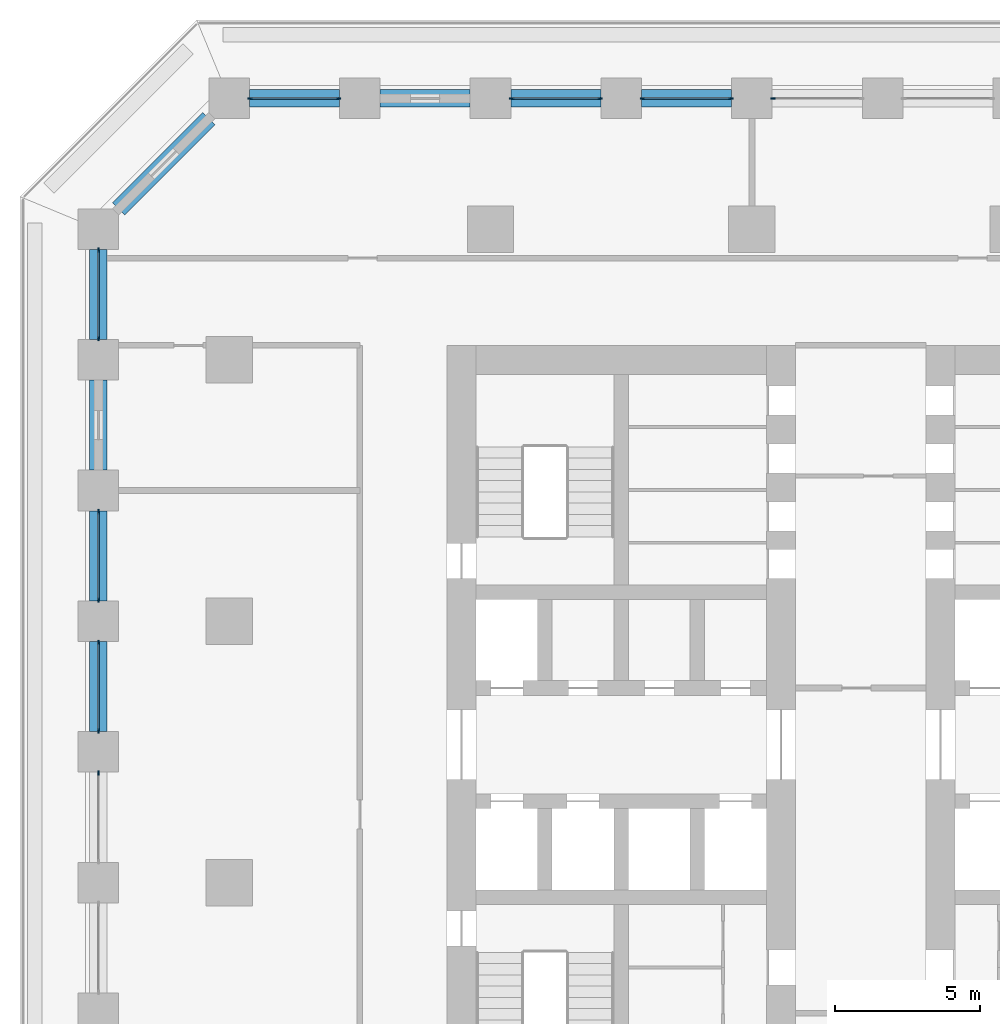
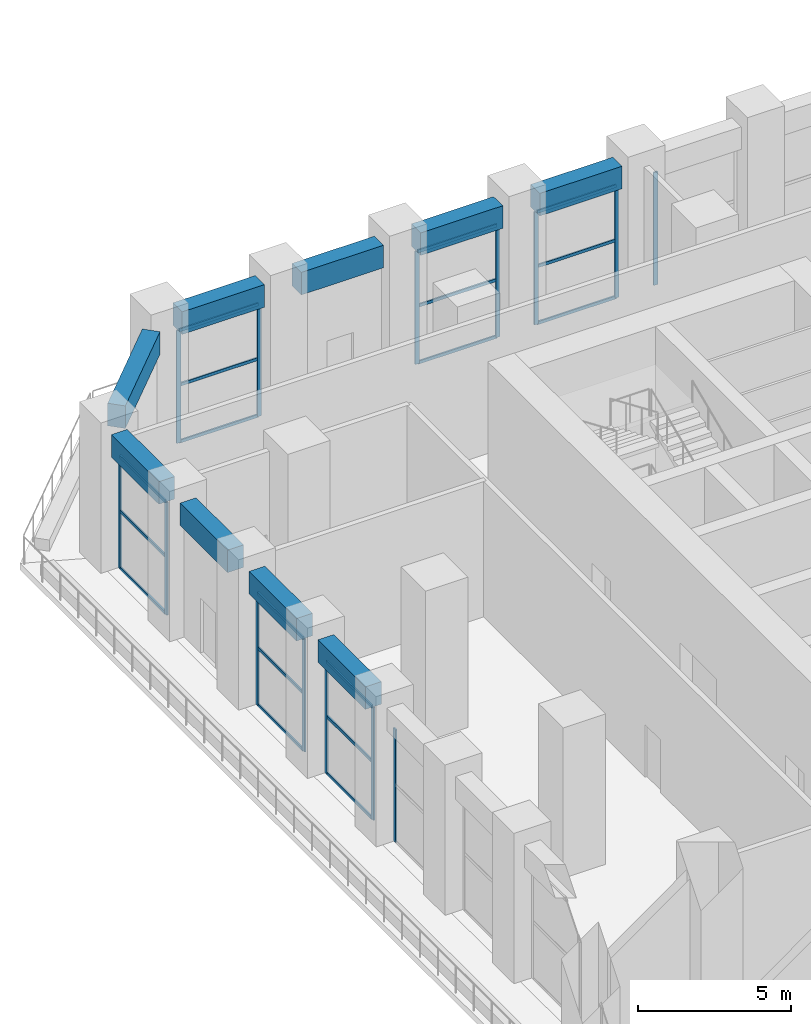
# One storey, part 6 of 19: 32 members, 9 beams, 8 elements without a shape of their own.
"""IFC4 building model written with IfcOpenShell, lengths in metres."""

from ifc_helpers import new_model, si_unit, direction, frame, origin, origin_2d, place, context, subcontext, project, spatial, rectangle, extrude, material, material_profile, profile_set, type_object, element, aggregate, save


model = new_model("IFC4")

# Units and contexts
model_context = context("Model", 3, precision=1e-05, world=origin(), true_north=direction((0.0, 1.0)))
body_context = subcontext(model_context, "Body", "Model", "MODEL_VIEW")
ifc_project = project(units=[si_unit("LENGTHUNIT", "METRE"), si_unit("AREAUNIT", "SQUARE_METRE"), si_unit("VOLUMEUNIT", "CUBIC_METRE"), si_unit("PLANEANGLEUNIT", "RADIAN"), si_unit("MASSUNIT", "GRAM", prefix="KILO")], contexts=[model_context])

# Site, building, storey
site_placement = place(None, origin())
site = spatial("IfcSite", under=ifc_project, at=site_placement, CompositionType="ELEMENT")
building_placement = place(site_placement, origin())
building = spatial("IfcBuilding", under=site, at=building_placement, Name="Corbel Stack Research Tower", CompositionType="ELEMENT")
storey_placement = place(building_placement, frame((0.0, 0.0, 70.60009765625)))
storey = spatial("IfcBuildingStorey", under=building, at=storey_placement, Name="L16", CompositionType="ELEMENT", Elevation=70.60009765625)

# Curtain wall, member
ifc_material_1 = material(Name="Aluminium frame, clear glass", Category="aluminium")
curtain_wall_type = type_object("IfcCurtainWallType", Name="Amenity floor curtain wall CW2", PredefinedType="NOTDEFINED", material=ifc_material_1)
curtain_wall_1_placement = place(storey_placement, origin())
curtain_wall_1 = element("IfcCurtainWall", 1, at=curtain_wall_1_placement, inside=storey, type_object=curtain_wall_type, Name="Curtain wall CW2 L16 N06", PredefinedType="NOTDEFINED")
ifc_material_2 = material(Name="Aluminium mullion", Category="aluminium")
ifc_material_profile_1 = material_profile(ifc_material_2, rectangle(XDim=0.06005859375, YDim=0.159912109375, at=origin_2d()), Name="Mullion 60 x 160")
ifc_profile_set_1 = profile_set([ifc_material_profile_1], Name="Aluminium mullion")
member_type_1 = type_object("IfcMemberType", Name="Curtain wall mullion 60 x 160", PredefinedType="MULLION", material=ifc_profile_set_1)
member_1_placement = place(storey_placement, frame((0.72998046875, 27.0, 0.0), z_axis=(0.0, 0.0, 1.0), x_axis=(0.0, -1.0, 0.0)))
member_1 = element("IfcMember", 2, at=member_1_placement, type_object=member_type_1, Name="CW2 L16 N06 mullion 2", PredefinedType="MULLION", context=body_context, shape_type="SweptSolid", body=[
    extrude(rectangle(XDim=0.06005859375, YDim=0.159912109375, at=origin_2d()), origin(), (0.0, 0.0, 1.0), 4.5),
])
aggregate(curtain_wall_1, [member_1])

# Curtain wall, members
curtain_wall_2_placement = place(storey_placement, origin())
curtain_wall_2 = element("IfcCurtainWall", 3, at=curtain_wall_2_placement, inside=storey, type_object=curtain_wall_type, Name="Curtain wall CW2 L16 N07", PredefinedType="NOTDEFINED")
member_2_placement = place(storey_placement, frame((-0.72998046875, 27.0, 0.0), z_axis=(0.0, 0.0, 1.0), x_axis=(0.0, -1.0, 0.0)))
member_2 = element("IfcMember", 4, at=member_2_placement, type_object=member_type_1, Name="CW2 L16 N07 mullion 1", PredefinedType="MULLION", context=body_context, shape_type="SweptSolid", body=[
    extrude(rectangle(XDim=0.06005859375, YDim=0.159912109375, at=origin_2d()), origin(), (0.0, 0.0, 1.0), 4.5),
])
member_3_placement = place(storey_placement, frame((-3.77001953125, 27.0, 0.0), z_axis=(0.0, 0.0, 1.0), x_axis=(0.0, -1.0, 0.0)))
member_3 = element("IfcMember", 5, at=member_3_placement, type_object=member_type_1, Name="CW2 L16 N07 mullion 2", PredefinedType="MULLION", context=body_context, shape_type="SweptSolid", body=[
    extrude(rectangle(XDim=0.06005859375, YDim=0.159912109375, at=origin_2d()), origin(), (0.0, 0.0, 1.0), 4.5),
])

curtain_wall_3_placement = place(storey_placement, origin())
curtain_wall_3 = element("IfcCurtainWall", 6, at=curtain_wall_3_placement, inside=storey, type_object=curtain_wall_type, Name="Curtain wall CW2 L16 N08", PredefinedType="NOTDEFINED")
member_4_placement = place(storey_placement, frame((-5.22998046875, 27.0, 0.0), z_axis=(0.0, 0.0, 1.0), x_axis=(0.0, -1.0, 0.0)))
member_4 = element("IfcMember", 7, at=member_4_placement, type_object=member_type_1, Name="CW2 L16 N08 mullion 1", PredefinedType="MULLION", context=body_context, shape_type="SweptSolid", body=[
    extrude(rectangle(XDim=0.06005859375, YDim=0.159912109375, at=origin_2d()), origin(), (0.0, 0.0, 1.0), 4.5),
])
member_5_placement = place(storey_placement, frame((-8.27001953125, 27.0, 0.0), z_axis=(0.0, 0.0, 1.0), x_axis=(0.0, -1.0, 0.0)))
member_5 = element("IfcMember", 8, at=member_5_placement, type_object=member_type_1, Name="CW2 L16 N08 mullion 2", PredefinedType="MULLION", context=body_context, shape_type="SweptSolid", body=[
    extrude(rectangle(XDim=0.06005859375, YDim=0.159912109375, at=origin_2d()), origin(), (0.0, 0.0, 1.0), 4.5),
])

curtain_wall_4_placement = place(storey_placement, origin())
curtain_wall_4 = element("IfcCurtainWall", 9, at=curtain_wall_4_placement, inside=storey, type_object=curtain_wall_type, Name="Curtain wall CW2 L16 N10", PredefinedType="NOTDEFINED")
member_6_placement = place(storey_placement, frame((-14.22998046875, 27.0, 0.0), z_axis=(0.0, 0.0, 1.0), x_axis=(0.0, -1.0, 0.0)))
member_6 = element("IfcMember", 10, at=member_6_placement, type_object=member_type_1, Name="CW2 L16 N10 mullion 1", PredefinedType="MULLION", context=body_context, shape_type="SweptSolid", body=[
    extrude(rectangle(XDim=0.06005859375, YDim=0.159912109375, at=origin_2d()), origin(), (0.0, 0.0, 1.0), 4.5),
])
member_7_placement = place(storey_placement, frame((-17.27001953125, 27.0, 0.0), z_axis=(0.0, 0.0, 1.0), x_axis=(0.0, -1.0, 0.0)))
member_7 = element("IfcMember", 11, at=member_7_placement, type_object=member_type_1, Name="CW2 L16 N10 mullion 2", PredefinedType="MULLION", context=body_context, shape_type="SweptSolid", body=[
    extrude(rectangle(XDim=0.06005859375, YDim=0.159912109375, at=origin_2d()), origin(), (0.0, 0.0, 1.0), 4.5),
])

curtain_wall_5_placement = place(storey_placement, origin())
curtain_wall_5 = element("IfcCurtainWall", 12, at=curtain_wall_5_placement, inside=storey, type_object=curtain_wall_type, Name="Curtain wall CW2 L16 W01", PredefinedType="NOTDEFINED")
member_8_placement = place(storey_placement, frame((-22.5, 21.77001953125, 0.0), z_axis=(0.0, 0.0, 1.0), x_axis=(1.0, 0.0, 0.0)))
member_8 = element("IfcMember", 13, at=member_8_placement, type_object=member_type_1, Name="CW2 L16 W01 mullion 1", PredefinedType="MULLION", context=body_context, shape_type="SweptSolid", body=[
    extrude(rectangle(XDim=0.06005859375, YDim=0.159912109375, at=origin_2d()), origin(), (0.0, 0.0, 1.0), 4.5),
])
member_9_placement = place(storey_placement, frame((-22.5, 18.72998046875, 0.0), z_axis=(0.0, 0.0, 1.0), x_axis=(1.0, 0.0, 0.0)))
member_9 = element("IfcMember", 14, at=member_9_placement, type_object=member_type_1, Name="CW2 L16 W01 mullion 2", PredefinedType="MULLION", context=body_context, shape_type="SweptSolid", body=[
    extrude(rectangle(XDim=0.06005859375, YDim=0.159912109375, at=origin_2d()), origin(), (0.0, 0.0, 1.0), 4.5),
])

curtain_wall_6_placement = place(storey_placement, origin())
curtain_wall_6 = element("IfcCurtainWall", 15, at=curtain_wall_6_placement, inside=storey, type_object=curtain_wall_type, Name="Curtain wall CW2 L16 W03", PredefinedType="NOTDEFINED")
member_10_placement = place(storey_placement, frame((-22.5, 12.77001953125, 0.0), z_axis=(0.0, 0.0, 1.0), x_axis=(1.0, 0.0, 0.0)))
member_10 = element("IfcMember", 16, at=member_10_placement, type_object=member_type_1, Name="CW2 L16 W03 mullion 1", PredefinedType="MULLION", context=body_context, shape_type="SweptSolid", body=[
    extrude(rectangle(XDim=0.06005859375, YDim=0.159912109375, at=origin_2d()), origin(), (0.0, 0.0, 1.0), 4.5),
])
member_11_placement = place(storey_placement, frame((-22.5, 9.72998046875, 0.0), z_axis=(0.0, 0.0, 1.0), x_axis=(1.0, 0.0, 0.0)))
member_11 = element("IfcMember", 17, at=member_11_placement, type_object=member_type_1, Name="CW2 L16 W03 mullion 2", PredefinedType="MULLION", context=body_context, shape_type="SweptSolid", body=[
    extrude(rectangle(XDim=0.06005859375, YDim=0.159912109375, at=origin_2d()), origin(), (0.0, 0.0, 1.0), 4.5),
])

curtain_wall_7_placement = place(storey_placement, origin())
curtain_wall_7 = element("IfcCurtainWall", 18, at=curtain_wall_7_placement, inside=storey, type_object=curtain_wall_type, Name="Curtain wall CW2 L16 W04", PredefinedType="NOTDEFINED")
member_12_placement = place(storey_placement, frame((-22.5, 8.27001953125, 0.0), z_axis=(0.0, 0.0, 1.0), x_axis=(1.0, 0.0, 0.0)))
member_12 = element("IfcMember", 19, at=member_12_placement, type_object=member_type_1, Name="CW2 L16 W04 mullion 1", PredefinedType="MULLION", context=body_context, shape_type="SweptSolid", body=[
    extrude(rectangle(XDim=0.06005859375, YDim=0.159912109375, at=origin_2d()), origin(), (0.0, 0.0, 1.0), 4.5),
])
member_13_placement = place(storey_placement, frame((-22.5, 5.22998046875, 0.0), z_axis=(0.0, 0.0, 1.0), x_axis=(1.0, 0.0, 0.0)))
member_13 = element("IfcMember", 20, at=member_13_placement, type_object=member_type_1, Name="CW2 L16 W04 mullion 2", PredefinedType="MULLION", context=body_context, shape_type="SweptSolid", body=[
    extrude(rectangle(XDim=0.06005859375, YDim=0.159912109375, at=origin_2d()), origin(), (0.0, 0.0, 1.0), 4.5),
])

# Curtain wall, member
curtain_wall_8_placement = place(storey_placement, origin())
curtain_wall_8 = element("IfcCurtainWall", 21, at=curtain_wall_8_placement, inside=storey, type_object=curtain_wall_type, Name="Curtain wall CW2 L16 W05", PredefinedType="NOTDEFINED")
member_14_placement = place(storey_placement, frame((-22.5, 3.77001953125, 0.0), z_axis=(0.0, 0.0, 1.0), x_axis=(1.0, 0.0, 0.0)))
member_14 = element("IfcMember", 22, at=member_14_placement, type_object=member_type_1, Name="CW2 L16 W05 mullion 1", PredefinedType="MULLION", context=body_context, shape_type="SweptSolid", body=[
    extrude(rectangle(XDim=0.06005859375, YDim=0.159912109375, at=origin_2d()), origin(), (0.0, 0.0, 1.0), 4.5),
])
aggregate(curtain_wall_8, [member_14])

# Member
ifc_material_3 = material(Name="Aluminium transom", Category="aluminium")
ifc_material_profile_2 = material_profile(ifc_material_3, rectangle(XDim=0.06005859375, YDim=0.1201171875, at=origin_2d()), Name="Transom 60 x 120")
ifc_profile_set_2 = profile_set([ifc_material_profile_2], Name="Aluminium transom")
member_type_2 = type_object("IfcMemberType", Name="Curtain wall transom 60 x 120", PredefinedType="USERDEFINED", material=ifc_profile_set_2)
member_15_placement = place(storey_placement, frame((-0.760009765625, 27.0, 0.02978515625), z_axis=(-1.0, 0.0, 0.0), x_axis=(0.0, -1.0, 0.0)))
member_15 = element("IfcMember", 23, at=member_15_placement, type_object=member_type_2, Name="CW2 L16 N07 transom 1.1", ObjectType="TRANSOM", PredefinedType="USERDEFINED", context=body_context, shape_type="SweptSolid", body=[
    extrude(rectangle(XDim=0.06005859375, YDim=0.1201171875, at=origin_2d()), origin(), (0.0, 0.0, 1.0), 2.97998046875),
])

member_16_placement = place(storey_placement, frame((-0.760009765625, 27.0, 2.2998046875), z_axis=(-1.0, 0.0, 0.0), x_axis=(0.0, -1.0, 0.0)))
member_16 = element("IfcMember", 24, at=member_16_placement, type_object=member_type_2, Name="CW2 L16 N07 transom 1.2", ObjectType="TRANSOM", PredefinedType="USERDEFINED", context=body_context, shape_type="SweptSolid", body=[
    extrude(rectangle(XDim=0.06005859375, YDim=0.1201171875, at=origin_2d()), origin(), (0.0, 0.0, 1.0), 2.97998046875),
])

member_17_placement = place(storey_placement, frame((-0.760009765625, 27.0, 4.469970703125), z_axis=(-1.0, 0.0, 0.0), x_axis=(0.0, -1.0, 0.0)))
member_17 = element("IfcMember", 25, at=member_17_placement, type_object=member_type_2, Name="CW2 L16 N07 transom 1.3", ObjectType="TRANSOM", PredefinedType="USERDEFINED", context=body_context, shape_type="SweptSolid", body=[
    extrude(rectangle(XDim=0.06005859375, YDim=0.1201171875, at=origin_2d()), origin(), (0.0, 0.0, 1.0), 2.97998046875),
])

aggregate(curtain_wall_2, [member_2, member_3, member_15, member_16, member_17])

member_18_placement = place(storey_placement, frame((-5.260009765625, 27.0, 0.02978515625), z_axis=(-1.0, 0.0, 0.0), x_axis=(0.0, -1.0, 0.0)))
member_18 = element("IfcMember", 26, at=member_18_placement, type_object=member_type_2, Name="CW2 L16 N08 transom 1.1", ObjectType="TRANSOM", PredefinedType="USERDEFINED", context=body_context, shape_type="SweptSolid", body=[
    extrude(rectangle(XDim=0.06005859375, YDim=0.1201171875, at=origin_2d()), origin(), (0.0, 0.0, 1.0), 2.97998046875),
])

member_19_placement = place(storey_placement, frame((-5.260009765625, 27.0, 2.2998046875), z_axis=(-1.0, 0.0, 0.0), x_axis=(0.0, -1.0, 0.0)))
member_19 = element("IfcMember", 27, at=member_19_placement, type_object=member_type_2, Name="CW2 L16 N08 transom 1.2", ObjectType="TRANSOM", PredefinedType="USERDEFINED", context=body_context, shape_type="SweptSolid", body=[
    extrude(rectangle(XDim=0.06005859375, YDim=0.1201171875, at=origin_2d()), origin(), (0.0, 0.0, 1.0), 2.97998046875),
])

member_20_placement = place(storey_placement, frame((-5.260009765625, 27.0, 4.469970703125), z_axis=(-1.0, 0.0, 0.0), x_axis=(0.0, -1.0, 0.0)))
member_20 = element("IfcMember", 28, at=member_20_placement, type_object=member_type_2, Name="CW2 L16 N08 transom 1.3", ObjectType="TRANSOM", PredefinedType="USERDEFINED", context=body_context, shape_type="SweptSolid", body=[
    extrude(rectangle(XDim=0.06005859375, YDim=0.1201171875, at=origin_2d()), origin(), (0.0, 0.0, 1.0), 2.97998046875),
])

aggregate(curtain_wall_3, [member_4, member_5, member_18, member_19, member_20])

member_21_placement = place(storey_placement, frame((-14.260009765625, 27.0, 0.02978515625), z_axis=(-1.0, 0.0, 0.0), x_axis=(0.0, -1.0, 0.0)))
member_21 = element("IfcMember", 29, at=member_21_placement, type_object=member_type_2, Name="CW2 L16 N10 transom 1.1", ObjectType="TRANSOM", PredefinedType="USERDEFINED", context=body_context, shape_type="SweptSolid", body=[
    extrude(rectangle(XDim=0.06005859375, YDim=0.1201171875, at=origin_2d()), origin(), (0.0, 0.0, 1.0), 2.97998046875),
])

member_22_placement = place(storey_placement, frame((-14.260009765625, 27.0, 2.2998046875), z_axis=(-1.0, 0.0, 0.0), x_axis=(0.0, -1.0, 0.0)))
member_22 = element("IfcMember", 30, at=member_22_placement, type_object=member_type_2, Name="CW2 L16 N10 transom 1.2", ObjectType="TRANSOM", PredefinedType="USERDEFINED", context=body_context, shape_type="SweptSolid", body=[
    extrude(rectangle(XDim=0.06005859375, YDim=0.1201171875, at=origin_2d()), origin(), (0.0, 0.0, 1.0), 2.97998046875),
])

member_23_placement = place(storey_placement, frame((-14.260009765625, 27.0, 4.469970703125), z_axis=(-1.0, 0.0, 0.0), x_axis=(0.0, -1.0, 0.0)))
member_23 = element("IfcMember", 31, at=member_23_placement, type_object=member_type_2, Name="CW2 L16 N10 transom 1.3", ObjectType="TRANSOM", PredefinedType="USERDEFINED", context=body_context, shape_type="SweptSolid", body=[
    extrude(rectangle(XDim=0.06005859375, YDim=0.1201171875, at=origin_2d()), origin(), (0.0, 0.0, 1.0), 2.97998046875),
])

aggregate(curtain_wall_4, [member_6, member_7, member_21, member_22, member_23])

member_24_placement = place(storey_placement, frame((-22.5, 21.739990234375, 0.02978515625), z_axis=(0.0, -1.0, 0.0), x_axis=(1.0, 0.0, 0.0)))
member_24 = element("IfcMember", 32, at=member_24_placement, type_object=member_type_2, Name="CW2 L16 W01 transom 1.1", ObjectType="TRANSOM", PredefinedType="USERDEFINED", context=body_context, shape_type="SweptSolid", body=[
    extrude(rectangle(XDim=0.06005859375, YDim=0.1201171875, at=origin_2d()), origin(), (0.0, 0.0, 1.0), 2.97998046875),
])

member_25_placement = place(storey_placement, frame((-22.5, 21.739990234375, 2.2998046875), z_axis=(0.0, -1.0, 0.0), x_axis=(1.0, 0.0, 0.0)))
member_25 = element("IfcMember", 33, at=member_25_placement, type_object=member_type_2, Name="CW2 L16 W01 transom 1.2", ObjectType="TRANSOM", PredefinedType="USERDEFINED", context=body_context, shape_type="SweptSolid", body=[
    extrude(rectangle(XDim=0.06005859375, YDim=0.1201171875, at=origin_2d()), origin(), (0.0, 0.0, 1.0), 2.97998046875),
])

member_26_placement = place(storey_placement, frame((-22.5, 21.739990234375, 4.469970703125), z_axis=(0.0, -1.0, 0.0), x_axis=(1.0, 0.0, 0.0)))
member_26 = element("IfcMember", 34, at=member_26_placement, type_object=member_type_2, Name="CW2 L16 W01 transom 1.3", ObjectType="TRANSOM", PredefinedType="USERDEFINED", context=body_context, shape_type="SweptSolid", body=[
    extrude(rectangle(XDim=0.06005859375, YDim=0.1201171875, at=origin_2d()), origin(), (0.0, 0.0, 1.0), 2.97998046875),
])

aggregate(curtain_wall_5, [member_8, member_9, member_24, member_25, member_26])

member_27_placement = place(storey_placement, frame((-22.5, 12.739990234375, 0.02978515625), z_axis=(0.0, -1.0, 0.0), x_axis=(1.0, 0.0, 0.0)))
member_27 = element("IfcMember", 35, at=member_27_placement, type_object=member_type_2, Name="CW2 L16 W03 transom 1.1", ObjectType="TRANSOM", PredefinedType="USERDEFINED", context=body_context, shape_type="SweptSolid", body=[
    extrude(rectangle(XDim=0.06005859375, YDim=0.1201171875, at=origin_2d()), origin(), (0.0, 0.0, 1.0), 2.97998046875),
])

member_28_placement = place(storey_placement, frame((-22.5, 12.739990234375, 2.2998046875), z_axis=(0.0, -1.0, 0.0), x_axis=(1.0, 0.0, 0.0)))
member_28 = element("IfcMember", 36, at=member_28_placement, type_object=member_type_2, Name="CW2 L16 W03 transom 1.2", ObjectType="TRANSOM", PredefinedType="USERDEFINED", context=body_context, shape_type="SweptSolid", body=[
    extrude(rectangle(XDim=0.06005859375, YDim=0.1201171875, at=origin_2d()), origin(), (0.0, 0.0, 1.0), 2.97998046875),
])

member_29_placement = place(storey_placement, frame((-22.5, 12.739990234375, 4.469970703125), z_axis=(0.0, -1.0, 0.0), x_axis=(1.0, 0.0, 0.0)))
member_29 = element("IfcMember", 37, at=member_29_placement, type_object=member_type_2, Name="CW2 L16 W03 transom 1.3", ObjectType="TRANSOM", PredefinedType="USERDEFINED", context=body_context, shape_type="SweptSolid", body=[
    extrude(rectangle(XDim=0.06005859375, YDim=0.1201171875, at=origin_2d()), origin(), (0.0, 0.0, 1.0), 2.97998046875),
])

aggregate(curtain_wall_6, [member_10, member_11, member_27, member_28, member_29])

member_30_placement = place(storey_placement, frame((-22.5, 8.239990234375, 0.02978515625), z_axis=(0.0, -1.0, 0.0), x_axis=(1.0, 0.0, 0.0)))
member_30 = element("IfcMember", 38, at=member_30_placement, type_object=member_type_2, Name="CW2 L16 W04 transom 1.1", ObjectType="TRANSOM", PredefinedType="USERDEFINED", context=body_context, shape_type="SweptSolid", body=[
    extrude(rectangle(XDim=0.06005859375, YDim=0.1201171875, at=origin_2d()), origin(), (0.0, 0.0, 1.0), 2.97998046875),
])

member_31_placement = place(storey_placement, frame((-22.5, 8.239990234375, 2.2998046875), z_axis=(0.0, -1.0, 0.0), x_axis=(1.0, 0.0, 0.0)))
member_31 = element("IfcMember", 39, at=member_31_placement, type_object=member_type_2, Name="CW2 L16 W04 transom 1.2", ObjectType="TRANSOM", PredefinedType="USERDEFINED", context=body_context, shape_type="SweptSolid", body=[
    extrude(rectangle(XDim=0.06005859375, YDim=0.1201171875, at=origin_2d()), origin(), (0.0, 0.0, 1.0), 2.97998046875),
])

member_32_placement = place(storey_placement, frame((-22.5, 8.239990234375, 4.469970703125), z_axis=(0.0, -1.0, 0.0), x_axis=(1.0, 0.0, 0.0)))
member_32 = element("IfcMember", 40, at=member_32_placement, type_object=member_type_2, Name="CW2 L16 W04 transom 1.3", ObjectType="TRANSOM", PredefinedType="USERDEFINED", context=body_context, shape_type="SweptSolid", body=[
    extrude(rectangle(XDim=0.06005859375, YDim=0.1201171875, at=origin_2d()), origin(), (0.0, 0.0, 1.0), 2.97998046875),
])

aggregate(curtain_wall_7, [member_12, member_13, member_30, member_31, member_32])

# Beams
ifc_material_4 = material(Name="Concrete C60/75", Category="concrete")
ifc_material_profile_3 = material_profile(ifc_material_4, rectangle(XDim=0.60009765625, YDim=0.89990234375, at=origin_2d()), Name="RC 600 x 900")
ifc_profile_set_3 = profile_set([ifc_material_profile_3], Name="Concrete C60/75")
beam_type = type_object("IfcBeamType", Name="SB-600-900-600", PredefinedType="SPANDREL", material=ifc_profile_set_3)
for number, where, z_axis, x_axis, name in (
    (41, (-0.699951171875, 27.0, 4.949951171875), (-1.0, 0.0, 0.0), (0.0, -1.0, 0.0), "Spandrel beam L16-29"),
    (42, (-5.199951171875, 27.0, 4.949951171875), (-1.0, 0.0, 0.0), (0.0, -1.0, 0.0), "Spandrel beam L16-30"),
    (43, (-9.699951171875, 27.0, 4.949951171875), (-1.0, 0.0, 0.0), (0.0, -1.0, 0.0), "Spandrel beam L16-31"),
    (44, (-14.199951171875, 27.0, 4.949951171875), (-1.0, 0.0, 0.0), (0.0, -1.0, 0.0), "Spandrel beam L16-32"),
):
    element("IfcBeam", number, at=place(storey_placement, frame(where, z_axis=z_axis, x_axis=x_axis)), inside=storey, type_object=beam_type, Name=name, PredefinedType="SPANDREL", context=body_context, shape_type="SweptSolid", body=[
        extrude(rectangle(XDim=0.60009765625, YDim=0.89990234375, at=origin_2d()), origin(), (0.0, 0.0, 1.0), 3.10009765625),
    ])
beam_placement = place(storey_placement, frame((-18.699951171875, 26.300048828125, 4.949951171875), z_axis=(-0.707106781187, -0.707106781187, 0.0), x_axis=(0.707106781187, -0.707106781187, 0.0)))
element("IfcBeam", 45, at=beam_placement, inside=storey, type_object=beam_type, Name="Spandrel beam L16-33", PredefinedType="SPANDREL", context=body_context, shape_type="SweptSolid", body=[
    extrude(rectangle(XDim=0.60009765625, YDim=0.89990234375, at=origin_2d()), origin(), (0.0, 0.0, 1.0), 4.38427734375),
])
for number, where, z_axis, x_axis, name in (
    (46, (-22.5, 21.800048828125, 4.949951171875), (0.0, -1.0, 0.0), (1.0, 0.0, 0.0), "Spandrel beam L16-34"),
    (47, (-22.5, 17.300048828125, 4.949951171875), (0.0, -1.0, 0.0), (1.0, 0.0, 0.0), "Spandrel beam L16-35"),
    (48, (-22.5, 12.800048828125, 4.949951171875), (0.0, -1.0, 0.0), (1.0, 0.0, 0.0), "Spandrel beam L16-36"),
    (49, (-22.5, 8.300048828125, 4.949951171875), (0.0, -1.0, 0.0), (1.0, 0.0, 0.0), "Spandrel beam L16-37"),
):
    element("IfcBeam", number, at=place(storey_placement, frame(where, z_axis=z_axis, x_axis=x_axis)), inside=storey, type_object=beam_type, Name=name, PredefinedType="SPANDREL", context=body_context, shape_type="SweptSolid", body=[
        extrude(rectangle(XDim=0.60009765625, YDim=0.89990234375, at=origin_2d()), origin(), (0.0, 0.0, 1.0), 3.10009765625),
    ])

save(model, "model.ifc")
